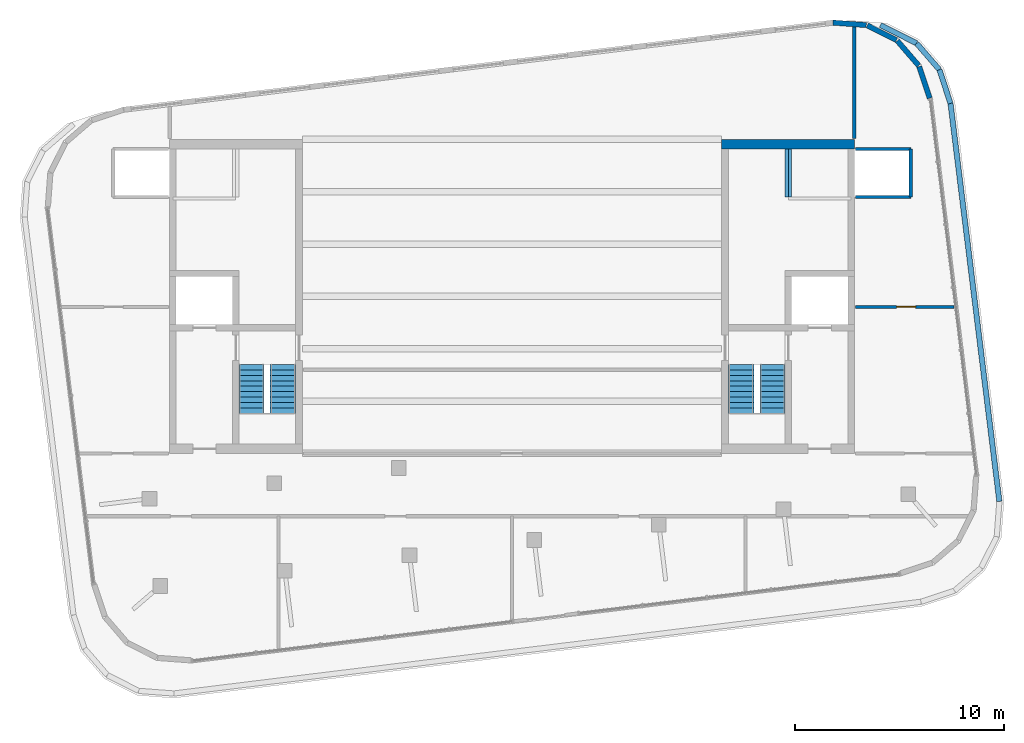
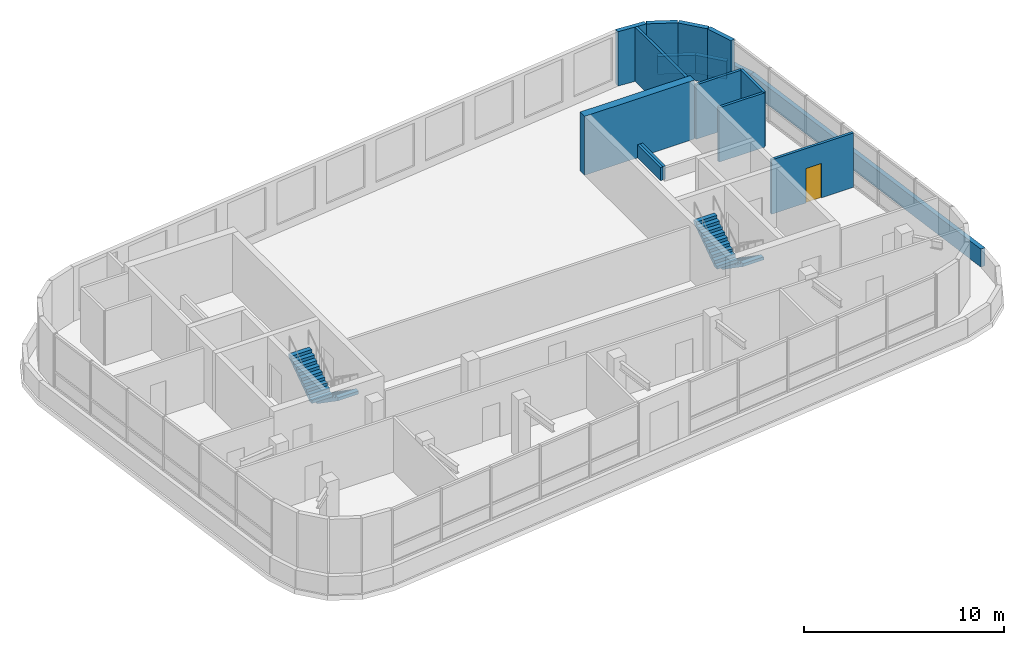
# One storey, part 7 of 8: 16 walls, 4 stair flights, 1 door, 1 opening, 2 elements without a shape of their own.
"""IFC4 building model written with IfcOpenShell, lengths in metres."""

from ifc_helpers import new_model, si_unit, direction, frame, frame_2d, origin, place, context, subcontext, project, spatial, polyline, rectangle, outline, extrude, material, layer, layer_set, type_object, element, fill, aggregate, save


model = new_model("IFC4")

# Units and contexts
model_context = context("Model", 3, precision=1e-05, world=origin(), true_north=direction((0.0, 1.0)))
body_context = subcontext(model_context, "Body", "Model", "MODEL_VIEW")
ifc_project = project(units=[si_unit("LENGTHUNIT", "METRE"), si_unit("AREAUNIT", "SQUARE_METRE"), si_unit("VOLUMEUNIT", "CUBIC_METRE"), si_unit("PLANEANGLEUNIT", "RADIAN"), si_unit("MASSUNIT", "GRAM", prefix="KILO")], contexts=[model_context])

# Site, building, storey
site_placement = place(None, origin())
site = spatial("IfcSite", under=ifc_project, at=site_placement, CompositionType="ELEMENT")
building_placement = place(site_placement, origin())
building = spatial("IfcBuilding", under=site, at=building_placement, Name="Torana Hotel and Residences", CompositionType="ELEMENT")
storey_placement = place(building_placement, frame((0.0, 0.0, 346.60009765625)))
storey = spatial("IfcBuildingStorey", under=building, at=storey_placement, Name="C1", CompositionType="ELEMENT", Elevation=346.60009765625)

# Walls
ifc_material_1 = material(Name="Concrete C50/60", Category="concrete")
ifc_layer_1 = layer(ifc_material_1, 0.449951171875)
ifc_layer_set_1 = layer_set([ifc_layer_1], Name="CORE WALL 450 C50/60")
wall_type_1 = type_object("IfcWallType", Name="CORE WALL 450 C50/60", PredefinedType="SHEAR", material=ifc_layer_set_1)
wall_1_placement = place(storey_placement, frame((10.0, -0.22509765625, 0.0), z_axis=(0.0, 0.0, 1.0), x_axis=(1.0, 0.0, 0.0)))
element("IfcWall", 1, at=wall_1_placement, inside=storey, type_object=wall_type_1, Name="Core wall E rear", PredefinedType="SHEAR", context=body_context, shape_type="SweptSolid", body=[
    extrude(rectangle(XDim=6.35009765625, YDim=0.449951171875, at=frame_2d((3.175048828125, 0.0))), origin(), (0.0, 0.0, 1.0), 3.599853515625),
])
ifc_material_2 = material(Name="Aluminium louvre wall", Category="aluminium")
ifc_layer_2 = layer(ifc_material_2, 0.25)
ifc_layer_set_2 = layer_set([ifc_layer_2], Name="EW3 LOUVRE WALL 250")
wall_type_2 = type_object("IfcWallType", Name="EW3 LOUVRE WALL 250", PredefinedType="SOLIDWALL", material=ifc_layer_set_2)
wall_2_placement = place(storey_placement, frame((19.949951171875, 1.9716796875, 0.0), z_axis=(0.0, 0.0, 1.0), x_axis=(-0.313096613398, 0.949721280523, 0.0)))
element("IfcWall", 2, at=wall_2_placement, inside=storey, type_object=wall_type_2, Name="Louvre wall C1 e0.0", PredefinedType="SOLIDWALL", context=body_context, shape_type="SweptSolid", body=[
    extrude(rectangle(XDim=1.591552734375, YDim=0.25, at=frame_2d((0.7958984375, 0.0))), origin(), (0.0, 0.0, 1.0), 3.31982421875),
])
wall_3_placement = place(storey_placement, frame((19.427490234375, 3.525634765625, 0.0), z_axis=(0.0, 0.0, 1.0), x_axis=(-0.652779234622, 0.757548197045, 0.0)))
element("IfcWall", 3, at=wall_3_placement, inside=storey, type_object=wall_type_2, Name="Louvre wall C1 e0.1", PredefinedType="SOLIDWALL", context=body_context, shape_type="SweptSolid", body=[
    extrude(rectangle(XDim=1.56591796875, YDim=0.25, at=frame_2d((0.782958984375, 0.0))), origin(), (0.0, 0.0, 1.0), 3.31982421875),
])
wall_4_placement = place(storey_placement, frame((18.36669921875, 4.7421875, 0.0), z_axis=(0.0, 0.0, 1.0), x_axis=(-0.893019896274, 0.450017182849, 0.0)))
element("IfcWall", 4, at=wall_4_placement, inside=storey, type_object=wall_type_2, Name="Louvre wall C1 e0.2", PredefinedType="SOLIDWALL", context=body_context, shape_type="SweptSolid", body=[
    extrude(rectangle(XDim=1.566162109375, YDim=0.25, at=frame_2d((0.783203125, 0.0))), origin(), (0.0, 0.0, 1.0), 3.31982421875),
])
wall_5_placement = place(storey_placement, frame((16.921142578125, 5.460205078125, 0.0), z_axis=(0.0, 0.0, 1.0), x_axis=(-0.997261890612, 0.073950804812, 0.0)))
element("IfcWall", 5, at=wall_5_placement, inside=storey, type_object=wall_type_2, Name="Louvre wall C1 e0.3", PredefinedType="SOLIDWALL", context=body_context, shape_type="SweptSolid", body=[
    extrude(rectangle(XDim=1.59130859375, YDim=0.25, at=frame_2d((0.795654296875, 0.0))), origin(), (0.0, 0.0, 1.0), 3.31982421875),
])
ifc_material_3 = material(Name="Concrete C40/50", Category="concrete")
ifc_layer_3 = layer(ifc_material_3, 0.14990234375)
ifc_layer_set_3 = layer_set([ifc_layer_3], Name="LIFT SHAFT WALL 150")
wall_type_3 = type_object("IfcWallType", Name="LIFT SHAFT WALL 150", PredefinedType="PARTITIONING", material=ifc_layer_set_3)
for number, where, z_axis, x_axis, name in (
    (6, (13.125, -2.75, 0.0), (0.0, 0.0, 1.0), (0.0, 1.0, 0.0), "Lift shaft wall H3 C1"),
    (7, (13.27490234375, -2.75, 0.0), (0.0, 0.0, 1.0), (0.0, 1.0, 0.0), "Lift shaft wall H4 C1"),
):
    element("IfcWall", number, at=place(storey_placement, frame(where, z_axis=z_axis, x_axis=x_axis)), inside=storey, type_object=wall_type_3, Name=name, PredefinedType="PARTITIONING", context=body_context, shape_type="SweptSolid", body=[
        extrude(rectangle(XDim=2.300048828125, YDim=0.14990234375, at=frame_2d((1.14990234375, 0.0))), origin(), (0.0, 0.0, 1.0), 0.7998046875),
    ])
ifc_material_4 = material(Name="Gypsum plasterboard")
ifc_layer_4 = layer(ifc_material_4, 0.012451171875, Name="Plasterboard", Category="finish")
ifc_layer_5 = layer(ifc_material_4, 0.012451171875, Name="Plasterboard", Category="finish")
ifc_material_5 = material(Name="Steel S280GD", Category="steel")
ifc_layer_6 = layer(ifc_material_5, 0.10009765625, Name="Steel studs with mineral wool", Category="insulation")
ifc_layer_7 = layer(ifc_material_4, 0.012451171875, Name="Plasterboard", Category="finish")
ifc_layer_8 = layer(ifc_material_4, 0.012451171875, Name="Plasterboard", Category="finish")
ifc_layer_set_4 = layer_set([ifc_layer_4, ifc_layer_5, ifc_layer_6, ifc_layer_7, ifc_layer_8], Name="PARTITION 150 PLASTERBOARD")
wall_type_4 = type_object("IfcWallType", Name="PARTITION 150 PLASTERBOARD", PredefinedType="PARTITIONING", material=ifc_layer_set_4)
wall_6_placement = place(storey_placement, frame((19.050048828125, -2.75, 0.0), z_axis=(0.0, 0.0, 1.0), x_axis=(0.0, 1.0, 0.0)))
element("IfcWall", 8, at=wall_6_placement, inside=storey, type_object=wall_type_4, Name="Partition C1", PredefinedType="PARTITIONING", context=body_context, shape_type="SweptSolid", body=[
    extrude(rectangle(XDim=2.300048828125, YDim=0.14990234375, at=frame_2d((1.14990234375, 0.0))), origin(), (0.0, 0.0, 1.0), 3.31982421875),
])
wall_7_placement = place(storey_placement, frame((16.35009765625, 0.050048828125, 0.0), z_axis=(0.0, 0.0, 1.0), x_axis=(0.0, 1.0, 0.0)))
element("IfcWall", 9, at=wall_7_placement, inside=storey, type_object=wall_type_4, Name="Partition C1", PredefinedType="PARTITIONING", context=body_context, shape_type="SweptSolid", body=[
    extrude(rectangle(XDim=5.3974609375, YDim=0.14990234375, at=frame_2d((2.69873046875, 0.0))), origin(), (0.0, 0.0, 1.0), 3.31982421875),
])

# Wall, opening, door
wall_8_placement = place(storey_placement, frame((16.39990234375, -8.0, 0.0), z_axis=(0.0, 0.0, 1.0), x_axis=(1.0, 0.0, 0.0)))
wall_8 = element("IfcWall", 10, at=wall_8_placement, inside=storey, type_object=wall_type_4, Name="Partition C1", PredefinedType="PARTITIONING", context=body_context, shape_type="SweptSolid", body=[
    extrude(rectangle(XDim=4.721435546875, YDim=0.14990234375, at=frame_2d((2.36083984375, 0.0))), origin(), (0.0, 0.0, 1.0), 3.31982421875),
])
opening_placement = place(wall_8_placement, frame((1.97705078125, 0.0, 0.0)))
opening = element("IfcOpeningElement", 11, at=opening_placement, cuts=wall_8, Name="Opening C1-15", PredefinedType="OPENING", context=body_context, shape_type="SweptSolid", body=[
    extrude(rectangle(XDim=0.89990234375, YDim=2.10009765625, at=frame_2d((0.449951171875, 1.050048828125))), frame((0.0, 0.0849609375, 0.0), z_axis=(0.0, -1.0, 0.0), x_axis=(1.0, 0.0, 0.0)), (0.0, 0.0, 1.0), 0.169921875),
])
ifc_material_6 = material(Name="Timber door, oiled ash", Category="wood")
door_type = type_object("IfcDoorType", Name="ROOM DOOR D7 900x2100", OperationType="SINGLE_SWING_LEFT", PredefinedType="DOOR", material=ifc_material_6)
door_placement = place(opening_placement, origin())
door = element("IfcDoor", 12, at=door_placement, inside=storey, type_object=door_type, Name="Door C1", OperationType="SINGLE_SWING_RIGHT", OverallHeight=2.10009765625, OverallWidth=0.89990234375, PredefinedType="DOOR", context=body_context, shape_type="SweptSolid", body=[
    extrude(rectangle(XDim=0.89990234375, YDim=2.10009765625, at=frame_2d((0.449951171875, 1.050048828125))), frame((0.0, 0.02490234375, 0.0), z_axis=(0.0, -1.0, 0.0), x_axis=(1.0, 0.0, 0.0)), (0.0, 0.0, 1.0), 0.050048828125),
])
fill(opening, door)

# Walls
for number, where, z_axis, x_axis, name in (
    (13, (16.39990234375, -2.75, 0.0), (0.0, 0.0, 1.0), (1.0, 0.0, 0.0), "Partition C1"),
    (14, (16.39990234375, -0.449951171875, 0.0), (0.0, 0.0, 1.0), (1.0, 0.0, 0.0), "Partition C1"),
):
    element("IfcWall", number, at=place(storey_placement, frame(where, z_axis=z_axis, x_axis=x_axis)), inside=storey, type_object=wall_type_4, Name=name, PredefinedType="PARTITIONING", context=body_context, shape_type="SweptSolid", body=[
        extrude(rectangle(XDim=2.650146484375, YDim=0.14990234375, at=frame_2d((1.3251953125, 0.0))), origin(), (0.0, 0.0, 1.0), 3.31982421875),
    ])
ifc_material_7 = material(Name="Aluminium coping with drip", Category="aluminium")
ifc_layer_9 = layer(ifc_material_7, 0.0029296875, Name="Coping flashing", Category="flashing")
ifc_material_8 = material(Name="Concrete C40/50 precast", Category="concrete")
ifc_layer_10 = layer(ifc_material_8, 0.00390625, Name="Cladding", Category="cladding")
ifc_material_9 = material(Name="Concrete C40/50", Category="concrete")
ifc_layer_11 = layer(ifc_material_9, 0.199951171875, Name="Wall", Category="structure")
ifc_material_10 = material(Name="Mineral wool insulation")
ifc_layer_12 = layer(ifc_material_10, 0.0400390625, Name="Insulation", Category="insulation")
ifc_material_11 = material(Name="Waterproofing upstand")
ifc_layer_13 = layer(ifc_material_11, 0.0029296875, Name="Upstand membrane", Category="membrane")
ifc_layer_set_5 = layer_set([ifc_layer_9, ifc_layer_10, ifc_layer_11, ifc_layer_12, ifc_layer_13], Name="PP1 PARAPET 250")
wall_type_5 = type_object("IfcWallType", Name="PP1 PARAPET 250", PredefinedType="PARAPET", material=ifc_layer_set_5)
wall_9_placement = place(storey_placement, frame((17.60302734375, 5.4609375, 0.0), z_axis=(0.0, 0.0, 1.0), x_axis=(0.892982053633, -0.450092270417, 0.0)))
element("IfcWall", 15, at=wall_9_placement, inside=storey, type_object=wall_type_5, Name="Roof parapet C1 1", PredefinedType="PARAPET", context=body_context, shape_type="SweptSolid", body=[
    extrude(rectangle(XDim=1.93212890625, YDim=0.25, at=frame_2d((0.966064453125, 0.0))), origin(), (0.0, 0.0, 1.0), 1.099853515625),
])
wall_10_placement = place(storey_placement, frame((19.328369140625, 4.59130859375, 0.0), z_axis=(0.0, 0.0, 1.0), x_axis=(0.652693518333, -0.757622050316, 0.0)))
element("IfcWall", 16, at=wall_10_placement, inside=storey, type_object=wall_type_5, Name="Roof parapet C1 2", PredefinedType="PARAPET", context=body_context, shape_type="SweptSolid", body=[
    extrude(rectangle(XDim=1.668212890625, YDim=0.25, at=frame_2d((0.833984375, 0.0))), origin(), (0.0, 0.0, 1.0), 1.099853515625),
])
wall_11_placement = place(storey_placement, frame((20.417236328125, 3.327392578125, 0.0), z_axis=(0.0, 0.0, 1.0), x_axis=(0.313149495959, -0.949703844986, 0.0)))
element("IfcWall", 17, at=wall_11_placement, inside=storey, type_object=wall_type_5, Name="Roof parapet C1 3", PredefinedType="PARAPET", context=body_context, shape_type="SweptSolid", body=[
    extrude(rectangle(XDim=1.690185546875, YDim=0.25, at=frame_2d((0.84521484375, 0.0))), origin(), (0.0, 0.0, 1.0), 1.099853515625),
])
wall_12_placement = place(storey_placement, frame((20.946533203125, 1.72216796875, 0.0), z_axis=(0.0, 0.0, 1.0), x_axis=(0.12187456146, -0.992545510931, 0.0)))
element("IfcWall", 18, at=wall_12_placement, inside=storey, type_object=wall_type_5, Name="Roof parapet C1 4", PredefinedType="PARAPET", context=body_context, shape_type="SweptSolid", body=[
    extrude(rectangle(XDim=19.15673828125, YDim=0.25, at=frame_2d((9.578369140625, 0.0))), origin(), (0.0, 0.0, 1.0), 1.099853515625),
])

# Stair, stair flights
ifc_material_12 = material(Name="Concrete C40/50 precast", Category="concrete")
stair_type_1 = type_object("IfcStairType", Name="STAIR ST1 HALF TURN 1200", PredefinedType="HALF_TURN_STAIR", material=ifc_material_12)
stair_1_placement = place(storey_placement, origin())
stair_1 = element("IfcStair", 19, at=stair_1_placement, inside=storey, type_object=stair_type_1, Name="Stair ST1 C1", PredefinedType="HALF_TURN_STAIR")
ifc_material_13 = material(Name="Concrete C40/50 precast", Category="concrete")
stair_flight_type = type_object("IfcStairFlightType", Name="STAIR FLIGHT 1200 PRECAST", PredefinedType="STRAIGHT", material=ifc_material_13)
stair_flight_1_placement = place(storey_placement, frame((-10.949951171875, -10.75, 0.0), z_axis=(0.0, 0.0, 1.0), x_axis=(0.0, -1.0, 0.0)))
stair_flight_1 = element("IfcStairFlight", 20, at=stair_flight_1_placement, type_object=stair_flight_type, Name="ST1 flight 1", NumberOfRisers=10, NumberOfTreads=9, PredefinedType="STRAIGHT", RiserHeight=0.18, TreadLength=0.26, context=body_context, shape_type="SweptSolid", body=[
    extrude(outline(polyline([(0.0, 0.0), (0.0, 0.179931640625), (0.260009765625, 0.179931640625), (0.260009765625, 0.360107421875), (0.52001953125, 0.360107421875), (0.52001953125, 0.5400390625), (0.780029296875, 0.5400390625), (0.780029296875, 0.719970703125), (1.0400390625, 0.719970703125), (1.0400390625, 0.89990234375), (1.300048828125, 0.89990234375), (1.300048828125, 1.080078125), (1.56005859375, 1.080078125), (1.56005859375, 1.260009765625), (1.820068359375, 1.260009765625), (1.820068359375, 1.43994140625), (2.080078125, 1.43994140625), (2.080078125, 1.6201171875), (2.340087890625, 1.6201171875), (2.340087890625, 1.800048828125), (2.340087890625, 1.437744140625), (0.263427734375, 0.0), (0.0, 0.0)])), frame((0.0, 0.60009765625, 0.0), z_axis=(0.0, -1.0, 0.0), x_axis=(1.0, 0.0, 0.0)), (0.0, 0.0, 1.0), 1.199951171875),
])
stair_flight_2_placement = place(storey_placement, frame((-12.449951171875, -13.090087890625, 1.7998046875), z_axis=(0.0, 0.0, 1.0), x_axis=(0.0, 1.0, 0.0)))
stair_flight_2 = element("IfcStairFlight", 21, at=stair_flight_2_placement, type_object=stair_flight_type, Name="ST1 flight 2", NumberOfRisers=10, NumberOfTreads=9, PredefinedType="STRAIGHT", RiserHeight=0.18, TreadLength=0.26, context=body_context, shape_type="SweptSolid", body=[
    extrude(outline(polyline([(0.0, 0.0), (0.0, 0.179931640625), (0.260009765625, 0.179931640625), (0.260009765625, 0.360107421875), (0.52001953125, 0.360107421875), (0.52001953125, 0.5400390625), (0.780029296875, 0.5400390625), (0.780029296875, 0.719970703125), (1.0400390625, 0.719970703125), (1.0400390625, 0.89990234375), (1.300048828125, 0.89990234375), (1.300048828125, 1.080078125), (1.56005859375, 1.080078125), (1.56005859375, 1.260009765625), (1.820068359375, 1.260009765625), (1.820068359375, 1.43994140625), (2.080078125, 1.43994140625), (2.080078125, 1.6201171875), (2.340087890625, 1.6201171875), (2.340087890625, 1.800048828125), (2.340087890625, 1.437744140625), (0.263427734375, 0.0), (0.0, 0.0)])), frame((0.0, 0.60009765625, 0.0), z_axis=(0.0, -1.0, 0.0), x_axis=(1.0, 0.0, 0.0)), (0.0, 0.0, 1.0), 1.199951171875),
])
aggregate(stair_1, [stair_flight_1, stair_flight_2])

ifc_material_14 = material(Name="Concrete C40/50 precast", Category="concrete")
stair_type_2 = type_object("IfcStairType", Name="STAIR ST3 HALF TURN 1200", PredefinedType="HALF_TURN_STAIR", material=ifc_material_14)
stair_2_placement = place(storey_placement, origin())
stair_2 = element("IfcStair", 22, at=stair_2_placement, inside=storey, type_object=stair_type_2, Name="Stair ST3 C1", PredefinedType="HALF_TURN_STAIR")
stair_flight_3_placement = place(storey_placement, frame((12.449951171875, -10.75, 0.0), z_axis=(0.0, 0.0, 1.0), x_axis=(0.0, -1.0, 0.0)))
stair_flight_3 = element("IfcStairFlight", 23, at=stair_flight_3_placement, type_object=stair_flight_type, Name="ST3 flight 1", NumberOfRisers=10, NumberOfTreads=9, PredefinedType="STRAIGHT", RiserHeight=0.18, TreadLength=0.26, context=body_context, shape_type="SweptSolid", body=[
    extrude(outline(polyline([(0.0, 0.0), (0.0, 0.179931640625), (0.260009765625, 0.179931640625), (0.260009765625, 0.360107421875), (0.52001953125, 0.360107421875), (0.52001953125, 0.5400390625), (0.780029296875, 0.5400390625), (0.780029296875, 0.719970703125), (1.0400390625, 0.719970703125), (1.0400390625, 0.89990234375), (1.300048828125, 0.89990234375), (1.300048828125, 1.080078125), (1.56005859375, 1.080078125), (1.56005859375, 1.260009765625), (1.820068359375, 1.260009765625), (1.820068359375, 1.43994140625), (2.080078125, 1.43994140625), (2.080078125, 1.6201171875), (2.340087890625, 1.6201171875), (2.340087890625, 1.800048828125), (2.340087890625, 1.437744140625), (0.263427734375, 0.0), (0.0, 0.0)])), frame((0.0, 0.60009765625, 0.0), z_axis=(0.0, -1.0, 0.0), x_axis=(1.0, 0.0, 0.0)), (0.0, 0.0, 1.0), 1.199951171875),
])
stair_flight_4_placement = place(storey_placement, frame((10.949951171875, -13.090087890625, 1.7998046875), z_axis=(0.0, 0.0, 1.0), x_axis=(0.0, 1.0, 0.0)))
stair_flight_4 = element("IfcStairFlight", 24, at=stair_flight_4_placement, type_object=stair_flight_type, Name="ST3 flight 2", NumberOfRisers=10, NumberOfTreads=9, PredefinedType="STRAIGHT", RiserHeight=0.18, TreadLength=0.26, context=body_context, shape_type="SweptSolid", body=[
    extrude(outline(polyline([(0.0, 0.0), (0.0, 0.179931640625), (0.260009765625, 0.179931640625), (0.260009765625, 0.360107421875), (0.52001953125, 0.360107421875), (0.52001953125, 0.5400390625), (0.780029296875, 0.5400390625), (0.780029296875, 0.719970703125), (1.0400390625, 0.719970703125), (1.0400390625, 0.89990234375), (1.300048828125, 0.89990234375), (1.300048828125, 1.080078125), (1.56005859375, 1.080078125), (1.56005859375, 1.260009765625), (1.820068359375, 1.260009765625), (1.820068359375, 1.43994140625), (2.080078125, 1.43994140625), (2.080078125, 1.6201171875), (2.340087890625, 1.6201171875), (2.340087890625, 1.800048828125), (2.340087890625, 1.437744140625), (0.263427734375, 0.0), (0.0, 0.0)])), frame((0.0, 0.60009765625, 0.0), z_axis=(0.0, -1.0, 0.0), x_axis=(1.0, 0.0, 0.0)), (0.0, 0.0, 1.0), 1.199951171875),
])
aggregate(stair_2, [stair_flight_3, stair_flight_4])

save(model, "model.ifc")
